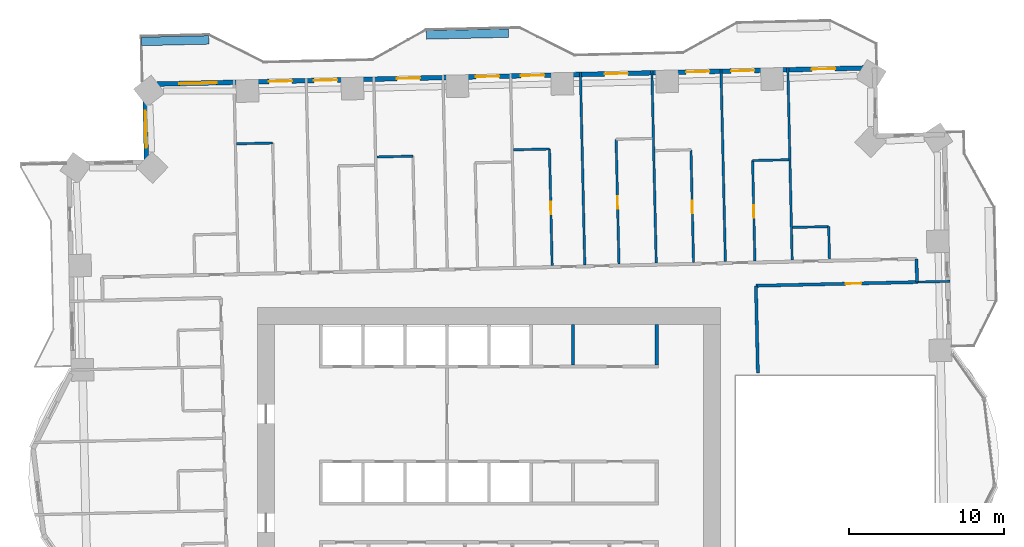
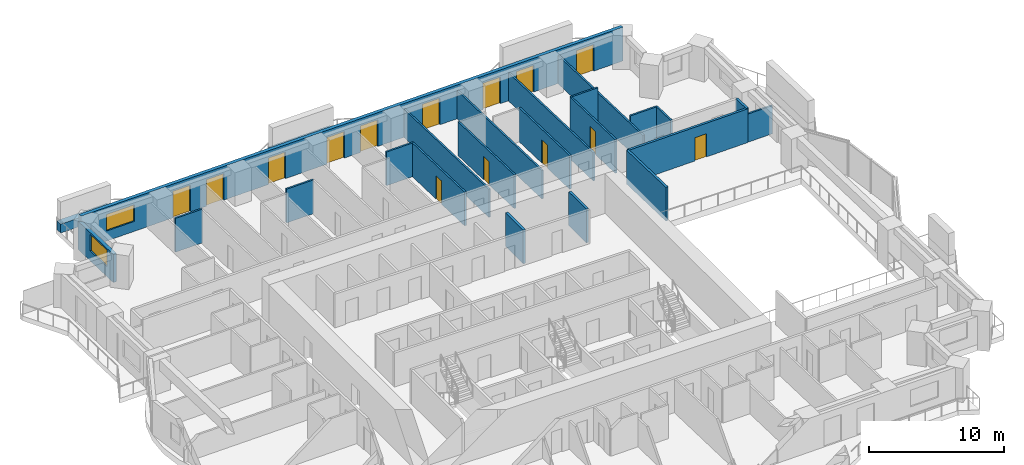
# One storey, part 12 of 17: 24 walls, 14 doors, 2 windows, 16 openings.
"""IFC4 building model written with IfcOpenShell, lengths in metres."""

from ifc_helpers import new_model, si_unit, direction, frame, frame_2d, origin, place, context, subcontext, project, spatial, rectangle, extrude, material, layer, layer_set, type_object, element, fill, save


model = new_model("IFC4")

# Units and contexts
model_context = context("Model", 3, precision=1e-05, world=origin(), true_north=direction((0.0, 1.0)))
body_context = subcontext(model_context, "Body", "Model", "MODEL_VIEW")
ifc_project = project(units=[si_unit("LENGTHUNIT", "METRE"), si_unit("AREAUNIT", "SQUARE_METRE"), si_unit("VOLUMEUNIT", "CUBIC_METRE"), si_unit("PLANEANGLEUNIT", "RADIAN"), si_unit("MASSUNIT", "GRAM", prefix="KILO")], contexts=[model_context])

# Site, building, storey
site_placement = place(None, origin())
site = spatial("IfcSite", under=ifc_project, at=site_placement, CompositionType="ELEMENT")
building_placement = place(site_placement, origin())
building = spatial("IfcBuilding", under=site, at=building_placement, Name="Mangrove Gate Tower", CompositionType="ELEMENT")
storey_placement = place(building_placement, frame((0.0, 0.0, 82.89990234375)))
storey = spatial("IfcBuildingStorey", under=building, at=storey_placement, Name="L20", CompositionType="ELEMENT", Elevation=82.89990234375)

# Walls
ifc_material_1 = material(Name="Concrete C32/40", Category="concrete")
ifc_layer_1 = layer(ifc_material_1, 0.199951171875)
ifc_layer_set_1 = layer_set([ifc_layer_1], Name="Core room wall 200 C32/40")
wall_type_1 = type_object("IfcWallType", Name="Core room wall 200 C32/40", PredefinedType="STANDARD", material=ifc_layer_set_1)
for number, where, z_axis, x_axis, name in (
    (1, (5.39990234375, 8.199951171875, 0.0), (0.0, 0.0, 1.0), (0.0, 1.0, 0.0), "WALL-L20-CORE-33"),
    (2, (10.800048828125, 8.199951171875, 0.0), (0.0, 0.0, 1.0), (0.0, 1.0, 0.0), "WALL-L20-CORE-34"),
):
    element("IfcWall", number, at=place(storey_placement, frame(where, z_axis=z_axis, x_axis=x_axis)), inside=storey, type_object=wall_type_1, Name=name, PredefinedType="STANDARD", context=body_context, shape_type="SweptSolid", body=[
        extrude(rectangle(XDim=2.60009765625, YDim=0.199951171875, at=frame_2d((1.300048828125, 0.0))), origin(), (0.0, 0.0, 1.0), 3.050048828125),
    ])
ifc_material_2 = material(Name="Gypsum board on steel stud, EI 60", Category="steel")
ifc_layer_2 = layer(ifc_material_2, 0.199951171875)
ifc_layer_set_2 = layer_set([ifc_layer_2], Name="Corridor wall EI 60")
wall_type_2 = type_object("IfcWallType", Name="Corridor wall EI 60", PredefinedType="PARTITIONING", material=ifc_layer_set_2)
wall_1_placement = place(storey_placement, frame((17.306884765625, 7.68603515625, 0.0), z_axis=(0.0, 0.0, 1.0), x_axis=(-0.022584272568, 0.999744942789, 0.0)))
element("IfcWall", 3, at=wall_1_placement, inside=storey, type_object=wall_type_2, Name="WALL-L20-051", PredefinedType="PARTITIONING", context=body_context, shape_type="SweptSolid", body=[
    extrude(rectangle(XDim=5.621337890625, YDim=0.199951171875, at=frame_2d((2.810546875, 0.0))), origin(), (0.0, 0.0, 1.0), 3.050048828125),
])

# Wall, opening, door
wall_2_placement = place(storey_placement, frame((17.176025390625, 13.305908203125, 0.0), z_axis=(0.0, 0.0, 1.0), x_axis=(0.999741057438, 0.022755616292, 0.0)))
wall_2 = element("IfcWall", 4, at=wall_2_placement, inside=storey, type_object=wall_type_2, Name="WALL-L20-058", PredefinedType="PARTITIONING", context=body_context, shape_type="SweptSolid", body=[
    extrude(rectangle(XDim=10.374755859375, YDim=0.199951171875, at=frame_2d((5.1875, 0.0))), origin(), (0.0, 0.0, 1.0), 3.050048828125),
])
opening_1_placement = place(wall_2_placement, frame((5.782958984375, 0.0, 0.0)))
opening_1 = element("IfcOpeningElement", 5, at=opening_1_placement, cuts=wall_2, Name="Opening AD", PredefinedType="OPENING", context=body_context, shape_type="SweptSolid", body=[
    extrude(rectangle(XDim=1.0, YDim=2.10009765625, at=frame_2d((0.5, 1.050048828125))), frame((0.0, 0.10986328125, 0.0), z_axis=(0.0, -1.0, 0.0), x_axis=(1.0, 0.0, 0.0)), (0.0, 0.0, 1.0), 0.219970703125),
])
ifc_material_3 = material(Name="Timber door leaf", Category="wood")
door_type_1 = type_object("IfcDoorType", Name="Amenity door 1000", OperationType="SINGLE_SWING_LEFT", PredefinedType="DOOR", material=ifc_material_3)
door_1_placement = place(opening_1_placement, origin())
door_1 = element("IfcDoor", 6, at=door_1_placement, inside=storey, type_object=door_type_1, Name="DOOR-L20-LNG-c3a", OperationType="SINGLE_SWING_RIGHT", OverallHeight=2.10009765625, OverallWidth=1.0, PredefinedType="DOOR", context=body_context, shape_type="SweptSolid", body=[
    extrude(rectangle(XDim=1.0, YDim=2.10009765625, at=frame_2d((0.5, 1.050048828125))), frame((0.0, 0.02490234375, 0.0), z_axis=(0.0, -1.0, 0.0), x_axis=(1.0, 0.0, 0.0)), (0.0, 0.0, 1.0), 0.050048828125),
])
fill(opening_1, door_1)

# Wall
wall_3_placement = place(storey_placement, frame((27.547119140625, 13.5419921875, 0.0), z_axis=(0.0, 0.0, 1.0), x_axis=(-0.02279537805, 0.999740151609, 0.0)))
element("IfcWall", 7, at=wall_3_placement, inside=storey, type_object=wall_type_2, Name="WALL-L20-059", PredefinedType="PARTITIONING", context=body_context, shape_type="SweptSolid", body=[
    extrude(rectangle(XDim=1.49951171875, YDim=0.199951171875, at=frame_2d((0.749755859375, 0.0))), origin(), (0.0, 0.0, 1.0), 3.050048828125),
])

# Wall, openings, doors, window
ifc_material_4 = material(Name="Limestone", Category="masonry")
ifc_layer_3 = layer(ifc_material_4, 0.0400390625, Name="Limestone cladding")
ifc_material_5 = material(Name="Ventilated air gap")
ifc_layer_4 = layer(ifc_material_5, 0.0400390625, Name="Ventilated cavity")
ifc_material_6 = material(Name="Mineral wool insulation")
ifc_layer_5 = layer(ifc_material_6, 0.06005859375, Name="Insulation")
ifc_material_7 = material(Name="Breather membrane")
ifc_layer_6 = layer(ifc_material_7, 0.001953125, Name="Breather membrane")
ifc_material_8 = material(Name="Concrete C20/25 blockwork", Category="masonry")
ifc_layer_7 = layer(ifc_material_8, 0.14990234375, Name="Blockwork backing wall")
ifc_material_9 = material(Name="Gypsum plaster")
ifc_layer_8 = layer(ifc_material_9, 0.008056640625, Name="Internal plaster")
ifc_layer_set_3 = layer_set([ifc_layer_3, ifc_layer_4, ifc_layer_5, ifc_layer_6, ifc_layer_7, ifc_layer_8], Name="External wall 300 limestone cladding")
wall_type_3 = type_object("IfcWallType", Name="External wall 300 limestone cladding", PredefinedType="SOLIDWALL", material=ifc_layer_set_3)
wall_4_placement = place(storey_placement, frame((24.80908203125, 27.3330078125, 0.0), z_axis=(0.0, 0.0, 1.0), x_axis=(-0.999742489858, -0.022692597327, 0.0)))
wall_4 = element("IfcWall", 8, at=wall_4_placement, inside=storey, type_object=wall_type_3, Name="WALL-L20-N5", PredefinedType="SOLIDWALL", context=body_context, shape_type="SweptSolid", body=[
    extrude(rectangle(XDim=46.97216796875, YDim=0.300048828125, at=frame_2d((23.486083984375, 0.0))), origin(), (0.0, 0.0, 1.0), 3.050048828125),
])
opening_2_placement = place(wall_4_placement, frame((2.535888671875, 0.0, 0.0)))
opening_2 = element("IfcOpeningElement", 9, at=opening_2_placement, cuts=wall_4, Name="Opening BD1", PredefinedType="OPENING", context=body_context, shape_type="SweptSolid", body=[
    extrude(rectangle(XDim=1.5, YDim=2.39990234375, at=frame_2d((0.75, 1.199951171875))), frame((0.0, 0.159912109375, 0.0), z_axis=(0.0, -1.0, 0.0), x_axis=(1.0, 0.0, 0.0)), (0.0, 0.0, 1.0), 0.320068359375),
])
opening_3_placement = place(wall_4_placement, frame((7.72607421875, 0.0, 0.0)))
opening_3 = element("IfcOpeningElement", 10, at=opening_3_placement, cuts=wall_4, Name="Opening BD1", PredefinedType="OPENING", context=body_context, shape_type="SweptSolid", body=[
    extrude(rectangle(XDim=1.5, YDim=2.39990234375, at=frame_2d((0.75, 1.199951171875))), frame((0.0, 0.159912109375, 0.0), z_axis=(0.0, -1.0, 0.0), x_axis=(1.0, 0.0, 0.0)), (0.0, 0.0, 1.0), 0.320068359375),
])
opening_4_placement = place(wall_4_placement, frame((10.626953125, 0.0, 0.0)))
opening_4 = element("IfcOpeningElement", 11, at=opening_4_placement, cuts=wall_4, Name="Opening BD1", PredefinedType="OPENING", context=body_context, shape_type="SweptSolid", body=[
    extrude(rectangle(XDim=1.5, YDim=2.39990234375, at=frame_2d((0.75, 1.199951171875))), frame((0.0, 0.159912109375, 0.0), z_axis=(0.0, -1.0, 0.0), x_axis=(1.0, 0.0, 0.0)), (0.0, 0.0, 1.0), 0.320068359375),
])
opening_5_placement = place(wall_4_placement, frame((15.8720703125, 0.0, 0.0)))
opening_5 = element("IfcOpeningElement", 12, at=opening_5_placement, cuts=wall_4, Name="Opening BD1", PredefinedType="OPENING", context=body_context, shape_type="SweptSolid", body=[
    extrude(rectangle(XDim=1.5, YDim=2.39990234375, at=frame_2d((0.75, 1.199951171875))), frame((0.0, 0.159912109375, 0.0), z_axis=(0.0, -1.0, 0.0), x_axis=(1.0, 0.0, 0.0)), (0.0, 0.0, 1.0), 0.320068359375),
])
opening_6_placement = place(wall_4_placement, frame((21.2529296875, 0.0, 0.0)))
opening_6 = element("IfcOpeningElement", 13, at=opening_6_placement, cuts=wall_4, Name="Opening BD1", PredefinedType="OPENING", context=body_context, shape_type="SweptSolid", body=[
    extrude(rectangle(XDim=1.5, YDim=2.39990234375, at=frame_2d((0.75, 1.199951171875))), frame((0.0, 0.159912109375, 0.0), z_axis=(0.0, -1.0, 0.0), x_axis=(1.0, 0.0, 0.0)), (0.0, 0.0, 1.0), 0.320068359375),
])
opening_7_placement = place(wall_4_placement, frame((24.155029296875, 0.0, 0.0)))
opening_7 = element("IfcOpeningElement", 14, at=opening_7_placement, cuts=wall_4, Name="Opening BD1", PredefinedType="OPENING", context=body_context, shape_type="SweptSolid", body=[
    extrude(rectangle(XDim=1.5, YDim=2.39990234375, at=frame_2d((0.75, 1.199951171875))), frame((0.0, 0.159912109375, 0.0), z_axis=(0.0, -1.0, 0.0), x_axis=(1.0, 0.0, 0.0)), (0.0, 0.0, 1.0), 0.320068359375),
])
opening_8_placement = place(wall_4_placement, frame((29.2470703125, 0.0, 0.0)))
opening_8 = element("IfcOpeningElement", 15, at=opening_8_placement, cuts=wall_4, Name="Opening BD1", PredefinedType="OPENING", context=body_context, shape_type="SweptSolid", body=[
    extrude(rectangle(XDim=1.5, YDim=2.39990234375, at=frame_2d((0.75, 1.199951171875))), frame((0.0, 0.159912109375, 0.0), z_axis=(0.0, -1.0, 0.0), x_axis=(1.0, 0.0, 0.0)), (0.0, 0.0, 1.0), 0.320068359375),
])
opening_9_placement = place(wall_4_placement, frame((34.5810546875, 0.0, 0.0)))
opening_9 = element("IfcOpeningElement", 16, at=opening_9_placement, cuts=wall_4, Name="Opening BD1", PredefinedType="OPENING", context=body_context, shape_type="SweptSolid", body=[
    extrude(rectangle(XDim=1.5, YDim=2.39990234375, at=frame_2d((0.75, 1.199951171875))), frame((0.0, 0.159912109375, 0.0), z_axis=(0.0, -1.0, 0.0), x_axis=(1.0, 0.0, 0.0)), (0.0, 0.0, 1.0), 0.320068359375),
])
opening_10_placement = place(wall_4_placement, frame((37.48291015625, 0.0, 0.0)))
opening_10 = element("IfcOpeningElement", 17, at=opening_10_placement, cuts=wall_4, Name="Opening BD1", PredefinedType="OPENING", context=body_context, shape_type="SweptSolid", body=[
    extrude(rectangle(XDim=1.5, YDim=2.39990234375, at=frame_2d((0.75, 1.199951171875))), frame((0.0, 0.159912109375, 0.0), z_axis=(0.0, -1.0, 0.0), x_axis=(1.0, 0.0, 0.0)), (0.0, 0.0, 1.0), 0.320068359375),
])
opening_11_placement = place(wall_4_placement, frame((42.35009765625, 0.0, 0.89990234375)))
opening_11 = element("IfcOpeningElement", 18, at=opening_11_placement, cuts=wall_4, Name="Opening W2", PredefinedType="OPENING", context=body_context, shape_type="SweptSolid", body=[
    extrude(rectangle(XDim=2.39990234375, YDim=1.5, at=frame_2d((1.199951171875, 0.75))), frame((0.0, 0.159912109375, 0.0), z_axis=(0.0, -1.0, 0.0), x_axis=(1.0, 0.0, 0.0)), (0.0, 0.0, 1.0), 0.320068359375),
])
ifc_material_10 = material(Name="Aluminium frame with laminated clear glass", Category="aluminium")
door_type_2 = type_object("IfcDoorType", Name="Balcony sliding door 1500x2400", OperationType="SLIDING_TO_LEFT", PredefinedType="DOOR", material=ifc_material_10)
door_2_placement = place(opening_2_placement, origin())
door_2 = element("IfcDoor", 19, at=door_2_placement, inside=storey, type_object=door_type_2, Name="DOOR-L20-N5-1", OperationType="SLIDING_TO_LEFT", OverallHeight=2.39990234375, OverallWidth=1.5, PredefinedType="DOOR", context=body_context, shape_type="SweptSolid", body=[
    extrude(rectangle(XDim=1.5, YDim=2.39990234375, at=frame_2d((0.75, 1.199951171875))), frame((0.0, 0.02490234375, 0.0), z_axis=(0.0, -1.0, 0.0), x_axis=(1.0, 0.0, 0.0)), (0.0, 0.0, 1.0), 0.050048828125),
])
fill(opening_2, door_2)
door_3_placement = place(opening_3_placement, origin())
door_3 = element("IfcDoor", 20, at=door_3_placement, inside=storey, type_object=door_type_2, Name="DOOR-L20-N5-2", OperationType="SLIDING_TO_LEFT", OverallHeight=2.39990234375, OverallWidth=1.5, PredefinedType="DOOR", context=body_context, shape_type="SweptSolid", body=[
    extrude(rectangle(XDim=1.5, YDim=2.39990234375, at=frame_2d((0.75, 1.199951171875))), frame((0.0, 0.02490234375, 0.0), z_axis=(0.0, -1.0, 0.0), x_axis=(1.0, 0.0, 0.0)), (0.0, 0.0, 1.0), 0.050048828125),
])
fill(opening_3, door_3)
door_4_placement = place(opening_4_placement, origin())
door_4 = element("IfcDoor", 21, at=door_4_placement, inside=storey, type_object=door_type_2, Name="DOOR-L20-N5-3", OperationType="SLIDING_TO_LEFT", OverallHeight=2.39990234375, OverallWidth=1.5, PredefinedType="DOOR", context=body_context, shape_type="SweptSolid", body=[
    extrude(rectangle(XDim=1.5, YDim=2.39990234375, at=frame_2d((0.75, 1.199951171875))), frame((0.0, 0.02490234375, 0.0), z_axis=(0.0, -1.0, 0.0), x_axis=(1.0, 0.0, 0.0)), (0.0, 0.0, 1.0), 0.050048828125),
])
fill(opening_4, door_4)
door_5_placement = place(opening_5_placement, origin())
door_5 = element("IfcDoor", 22, at=door_5_placement, inside=storey, type_object=door_type_2, Name="DOOR-L20-N5-4", OperationType="SLIDING_TO_LEFT", OverallHeight=2.39990234375, OverallWidth=1.5, PredefinedType="DOOR", context=body_context, shape_type="SweptSolid", body=[
    extrude(rectangle(XDim=1.5, YDim=2.39990234375, at=frame_2d((0.75, 1.199951171875))), frame((0.0, 0.02490234375, 0.0), z_axis=(0.0, -1.0, 0.0), x_axis=(1.0, 0.0, 0.0)), (0.0, 0.0, 1.0), 0.050048828125),
])
fill(opening_5, door_5)
door_6_placement = place(opening_6_placement, origin())
door_6 = element("IfcDoor", 23, at=door_6_placement, inside=storey, type_object=door_type_2, Name="DOOR-L20-N5-5", OperationType="SLIDING_TO_LEFT", OverallHeight=2.39990234375, OverallWidth=1.5, PredefinedType="DOOR", context=body_context, shape_type="SweptSolid", body=[
    extrude(rectangle(XDim=1.5, YDim=2.39990234375, at=frame_2d((0.75, 1.199951171875))), frame((0.0, 0.02490234375, 0.0), z_axis=(0.0, -1.0, 0.0), x_axis=(1.0, 0.0, 0.0)), (0.0, 0.0, 1.0), 0.050048828125),
])
fill(opening_6, door_6)
door_7_placement = place(opening_7_placement, origin())
door_7 = element("IfcDoor", 24, at=door_7_placement, inside=storey, type_object=door_type_2, Name="DOOR-L20-N5-6", OperationType="SLIDING_TO_LEFT", OverallHeight=2.39990234375, OverallWidth=1.5, PredefinedType="DOOR", context=body_context, shape_type="SweptSolid", body=[
    extrude(rectangle(XDim=1.5, YDim=2.39990234375, at=frame_2d((0.75, 1.199951171875))), frame((0.0, 0.02490234375, 0.0), z_axis=(0.0, -1.0, 0.0), x_axis=(1.0, 0.0, 0.0)), (0.0, 0.0, 1.0), 0.050048828125),
])
fill(opening_7, door_7)
door_8_placement = place(opening_8_placement, origin())
door_8 = element("IfcDoor", 25, at=door_8_placement, inside=storey, type_object=door_type_2, Name="DOOR-L20-N5-7", OperationType="SLIDING_TO_LEFT", OverallHeight=2.39990234375, OverallWidth=1.5, PredefinedType="DOOR", context=body_context, shape_type="SweptSolid", body=[
    extrude(rectangle(XDim=1.5, YDim=2.39990234375, at=frame_2d((0.75, 1.199951171875))), frame((0.0, 0.02490234375, 0.0), z_axis=(0.0, -1.0, 0.0), x_axis=(1.0, 0.0, 0.0)), (0.0, 0.0, 1.0), 0.050048828125),
])
fill(opening_8, door_8)
door_9_placement = place(opening_9_placement, origin())
door_9 = element("IfcDoor", 26, at=door_9_placement, inside=storey, type_object=door_type_2, Name="DOOR-L20-N5-8", OperationType="SLIDING_TO_LEFT", OverallHeight=2.39990234375, OverallWidth=1.5, PredefinedType="DOOR", context=body_context, shape_type="SweptSolid", body=[
    extrude(rectangle(XDim=1.5, YDim=2.39990234375, at=frame_2d((0.75, 1.199951171875))), frame((0.0, 0.02490234375, 0.0), z_axis=(0.0, -1.0, 0.0), x_axis=(1.0, 0.0, 0.0)), (0.0, 0.0, 1.0), 0.050048828125),
])
fill(opening_9, door_9)
door_10_placement = place(opening_10_placement, origin())
door_10 = element("IfcDoor", 27, at=door_10_placement, inside=storey, type_object=door_type_2, Name="DOOR-L20-N5-9", OperationType="SLIDING_TO_LEFT", OverallHeight=2.39990234375, OverallWidth=1.5, PredefinedType="DOOR", context=body_context, shape_type="SweptSolid", body=[
    extrude(rectangle(XDim=1.5, YDim=2.39990234375, at=frame_2d((0.75, 1.199951171875))), frame((0.0, 0.02490234375, 0.0), z_axis=(0.0, -1.0, 0.0), x_axis=(1.0, 0.0, 0.0)), (0.0, 0.0, 1.0), 0.050048828125),
])
fill(opening_10, door_10)
ifc_material_11 = material(Name="Aluminium frame with double-glazed low-e glass", Category="aluminium")
window_type = type_object("IfcWindowType", Name="Corner room window 2400x1500", PartitioningType="DOUBLE_PANEL_VERTICAL", PredefinedType="WINDOW", material=ifc_material_11)
window_1_placement = place(opening_11_placement, origin())
window_1 = element("IfcWindow", 28, at=window_1_placement, inside=storey, type_object=window_type, Name="WIN-L20-N5-10", OverallHeight=1.5, OverallWidth=2.39990234375, PartitioningType="DOUBLE_PANEL_VERTICAL", PredefinedType="WINDOW", context=body_context, shape_type="SweptSolid", body=[
    extrude(rectangle(XDim=2.39990234375, YDim=1.5, at=frame_2d((1.199951171875, 0.75))), frame((0.0, 0.030029296875, 0.0), z_axis=(0.0, -1.0, 0.0), x_axis=(1.0, 0.0, 0.0)), (0.0, 0.0, 1.0), 0.06005859375),
])
fill(opening_11, window_1)

# Wall, opening, window
wall_5_placement = place(storey_placement, frame((-22.15087890625, 26.26708984375, 0.0), z_axis=(0.0, 0.0, 1.0), x_axis=(0.022756903044, -0.999741028149, 0.0)))
wall_5 = element("IfcWall", 29, at=wall_5_placement, inside=storey, type_object=wall_type_3, Name="WALL-L20-W6", PredefinedType="SOLIDWALL", context=body_context, shape_type="SweptSolid", body=[
    extrude(rectangle(XDim=4.999267578125, YDim=0.300048828125, at=frame_2d((2.49951171875, 0.0))), origin(), (0.0, 0.0, 1.0), 2.550048828125),
])
opening_12_placement = place(wall_5_placement, frame((1.69189453125, 0.0, 0.89990234375)))
opening_12 = element("IfcOpeningElement", 30, at=opening_12_placement, cuts=wall_5, Name="Opening W2", PredefinedType="OPENING", context=body_context, shape_type="SweptSolid", body=[
    extrude(rectangle(XDim=2.39990234375, YDim=1.5, at=frame_2d((1.199951171875, 0.75))), frame((0.0, 0.159912109375, 0.0), z_axis=(0.0, -1.0, 0.0), x_axis=(1.0, 0.0, 0.0)), (0.0, 0.0, 1.0), 0.320068359375),
])
window_2_placement = place(opening_12_placement, origin())
window_2 = element("IfcWindow", 31, at=window_2_placement, inside=storey, type_object=window_type, Name="WIN-L20-W6-1", OverallHeight=1.5, OverallWidth=2.39990234375, PartitioningType="DOUBLE_PANEL_VERTICAL", PredefinedType="WINDOW", context=body_context, shape_type="SweptSolid", body=[
    extrude(rectangle(XDim=2.39990234375, YDim=1.5, at=frame_2d((1.199951171875, 0.75))), frame((0.0, 0.030029296875, 0.0), z_axis=(0.0, -1.0, 0.0), x_axis=(1.0, 0.0, 0.0)), (0.0, 0.0, 1.0), 0.06005859375),
])
fill(opening_12, window_2)

# Wall
ifc_material_12 = material(Name="Gypsum board on steel stud, EI 60", Category="steel")
ifc_layer_9 = layer(ifc_material_12, 0.14990234375)
ifc_layer_set_4 = layer_set([ifc_layer_9], Name="Party wall 150 EI 60")
wall_type_4 = type_object("IfcWallType", Name="Party wall 150 EI 60", PredefinedType="PARTITIONING", material=ifc_layer_set_4)
wall_6_placement = place(storey_placement, frame((27.548095703125, 13.5419921875, 0.0), z_axis=(0.0, 0.0, 1.0), x_axis=(0.999743730464, 0.022637875276, 0.0)))
element("IfcWall", 32, at=wall_6_placement, inside=storey, type_object=wall_type_4, Name="WALL-L20-060", PredefinedType="PARTITIONING", context=body_context, shape_type="SweptSolid", body=[
    extrude(rectangle(XDim=2.12451171875, YDim=0.14990234375, at=frame_2d((1.062255859375, 0.0))), origin(), (0.0, 0.0, 1.0), 2.550048828125),
])

# Wall, opening, door
wall_7_placement = place(storey_placement, frame((4.06689453125, 14.60888671875, 0.0), z_axis=(0.0, 0.0, 1.0), x_axis=(-0.022786475911, 0.99974035455, 0.0)))
wall_7 = element("IfcWall", 33, at=wall_7_placement, inside=storey, type_object=wall_type_4, Name="WALL-L20-072", PredefinedType="PARTITIONING", context=body_context, shape_type="SweptSolid", body=[
    extrude(rectangle(XDim=7.5, YDim=0.14990234375, at=frame_2d((3.75, 0.0))), origin(), (0.0, 0.0, 1.0), 3.050048828125),
])
opening_13_placement = place(wall_7_placement, frame((3.300048828125, 0.0, 0.0)))
opening_13 = element("IfcOpeningElement", 34, at=opening_13_placement, cuts=wall_7, Name="Opening ED", PredefinedType="OPENING", context=body_context, shape_type="SweptSolid", body=[
    extrude(rectangle(XDim=0.800048828125, YDim=2.10009765625, at=frame_2d((0.39990234375, 1.050048828125))), frame((0.0, 0.0849609375, 0.0), z_axis=(0.0, -1.0, 0.0), x_axis=(1.0, 0.0, 0.0)), (0.0, 0.0, 1.0), 0.169921875),
])
ifc_material_13 = material(Name="Timber door leaf", Category="wood")
door_type_3 = type_object("IfcDoorType", Name="En-suite door 800", OperationType="SINGLE_SWING_LEFT", PredefinedType="DOOR", material=ifc_material_13)
door_11_placement = place(opening_13_placement, origin())
door_11 = element("IfcDoor", 35, at=door_11_placement, inside=storey, type_object=door_type_3, Name="DOOR-L20-ENS-c412", OperationType="SINGLE_SWING_RIGHT", OverallHeight=2.10009765625, OverallWidth=0.800048828125, PredefinedType="DOOR", context=body_context, shape_type="SweptSolid", body=[
    extrude(rectangle(XDim=0.800048828125, YDim=2.10009765625, at=frame_2d((0.39990234375, 1.050048828125))), frame((0.0, 0.02490234375, 0.0), z_axis=(0.0, -1.0, 0.0), x_axis=(1.0, 0.0, 0.0)), (0.0, 0.0, 1.0), 0.050048828125),
])
fill(opening_13, door_11)

# Wall
wall_8_placement = place(storey_placement, frame((6.166015625, 14.656982421875, 0.0), z_axis=(0.0, 0.0, 1.0), x_axis=(-0.022661475803, 0.999743195783, 0.0)))
element("IfcWall", 36, at=wall_8_placement, inside=storey, type_object=wall_type_4, Name="WALL-L20-073", PredefinedType="PARTITIONING", context=body_context, shape_type="SweptSolid", body=[
    extrude(rectangle(XDim=12.400146484375, YDim=0.14990234375, at=frame_2d((6.2001953125, 0.0))), origin(), (0.0, 0.0, 1.0), 2.550048828125),
])

# Wall, opening, door
wall_9_placement = place(storey_placement, frame((8.365966796875, 14.70703125, 0.0), z_axis=(0.0, 0.0, 1.0), x_axis=(-0.022771820566, 0.999740688473, 0.0)))
wall_9 = element("IfcWall", 37, at=wall_9_placement, inside=storey, type_object=wall_type_4, Name="WALL-L20-074", PredefinedType="PARTITIONING", context=body_context, shape_type="SweptSolid", body=[
    extrude(rectangle(XDim=8.0302734375, YDim=0.14990234375, at=frame_2d((4.01513671875, 0.0))), origin(), (0.0, 0.0, 1.0), 3.050048828125),
])
opening_14_placement = place(wall_9_placement, frame((3.56494140625, 0.0, 0.0)))
opening_14 = element("IfcOpeningElement", 38, at=opening_14_placement, cuts=wall_9, Name="Opening ED", PredefinedType="OPENING", context=body_context, shape_type="SweptSolid", body=[
    extrude(rectangle(XDim=0.800048828125, YDim=2.10009765625, at=frame_2d((0.39990234375, 1.050048828125))), frame((0.0, 0.0849609375, 0.0), z_axis=(0.0, -1.0, 0.0), x_axis=(1.0, 0.0, 0.0)), (0.0, 0.0, 1.0), 0.169921875),
])
door_12_placement = place(opening_14_placement, origin())
door_12 = element("IfcDoor", 39, at=door_12_placement, inside=storey, type_object=door_type_3, Name="DOOR-L20-ENS-c411", OperationType="SINGLE_SWING_LEFT", OverallHeight=2.10009765625, OverallWidth=0.800048828125, PredefinedType="DOOR", context=body_context, shape_type="SweptSolid", body=[
    extrude(rectangle(XDim=0.800048828125, YDim=2.10009765625, at=frame_2d((0.39990234375, 1.050048828125))), frame((0.0, 0.02490234375, 0.0), z_axis=(0.0, -1.0, 0.0), x_axis=(1.0, 0.0, 0.0)), (0.0, 0.0, 1.0), 0.050048828125),
])
fill(opening_14, door_12)

# Wall
wall_10_placement = place(storey_placement, frame((10.764892578125, 14.760986328125, 0.0), z_axis=(0.0, 0.0, 1.0), x_axis=(-0.022661475803, 0.999743195783, 0.0)))
element("IfcWall", 40, at=wall_10_placement, inside=storey, type_object=wall_type_4, Name="WALL-L20-075", PredefinedType="PARTITIONING", context=body_context, shape_type="SweptSolid", body=[
    extrude(rectangle(XDim=12.400146484375, YDim=0.14990234375, at=frame_2d((6.2001953125, 0.0))), origin(), (0.0, 0.0, 1.0), 2.550048828125),
])

# Wall, opening, door
wall_11_placement = place(storey_placement, frame((13.1640625, 14.81591796875, 0.0), z_axis=(0.0, 0.0, 1.0), x_axis=(-0.022660891034, 0.999743209038, 0.0)))
wall_11 = element("IfcWall", 41, at=wall_11_placement, inside=storey, type_object=wall_type_4, Name="WALL-L20-076", PredefinedType="PARTITIONING", context=body_context, shape_type="SweptSolid", body=[
    extrude(rectangle(XDim=7.239990234375, YDim=0.14990234375, at=frame_2d((3.6201171875, 0.0))), origin(), (0.0, 0.0, 1.0), 3.050048828125),
])
opening_15_placement = place(wall_11_placement, frame((3.169921875, 0.0, 0.0)))
opening_15 = element("IfcOpeningElement", 42, at=opening_15_placement, cuts=wall_11, Name="Opening ED", PredefinedType="OPENING", context=body_context, shape_type="SweptSolid", body=[
    extrude(rectangle(XDim=0.800048828125, YDim=2.10009765625, at=frame_2d((0.39990234375, 1.050048828125))), frame((0.0, 0.0849609375, 0.0), z_axis=(0.0, -1.0, 0.0), x_axis=(1.0, 0.0, 0.0)), (0.0, 0.0, 1.0), 0.169921875),
])
door_13_placement = place(opening_15_placement, origin())
door_13 = element("IfcDoor", 43, at=door_13_placement, inside=storey, type_object=door_type_3, Name="DOOR-L20-ENS-c310", OperationType="SINGLE_SWING_RIGHT", OverallHeight=2.10009765625, OverallWidth=0.800048828125, PredefinedType="DOOR", context=body_context, shape_type="SweptSolid", body=[
    extrude(rectangle(XDim=0.800048828125, YDim=2.10009765625, at=frame_2d((0.39990234375, 1.050048828125))), frame((0.0, 0.02490234375, 0.0), z_axis=(0.0, -1.0, 0.0), x_axis=(1.0, 0.0, 0.0)), (0.0, 0.0, 1.0), 0.050048828125),
])
fill(opening_15, door_13)

# Wall
wall_12_placement = place(storey_placement, frame((15.214111328125, 14.862060546875, 0.0), z_axis=(0.0, 0.0, 1.0), x_axis=(-0.022759867473, 0.999740960666, 0.0)))
element("IfcWall", 44, at=wall_12_placement, inside=storey, type_object=wall_type_4, Name="WALL-L20-077", PredefinedType="PARTITIONING", context=body_context, shape_type="SweptSolid", body=[
    extrude(rectangle(XDim=12.400146484375, YDim=0.14990234375, at=frame_2d((6.2001953125, 0.0))), origin(), (0.0, 0.0, 1.0), 2.550048828125),
])

# Wall, opening, door
wall_13_placement = place(storey_placement, frame((17.113037109375, 14.905029296875, 0.0), z_axis=(0.0, 0.0, 1.0), x_axis=(-0.022597796078, 0.999744637201, 0.0)))
wall_13 = element("IfcWall", 45, at=wall_13_placement, inside=storey, type_object=wall_type_4, Name="WALL-L20-078", PredefinedType="PARTITIONING", context=body_context, shape_type="SweptSolid", body=[
    extrude(rectangle(XDim=6.460693359375, YDim=0.14990234375, at=frame_2d((3.23046875, 0.0))), origin(), (0.0, 0.0, 1.0), 3.050048828125),
])
opening_16_placement = place(wall_13_placement, frame((2.780029296875, 0.0, 0.0)))
opening_16 = element("IfcOpeningElement", 46, at=opening_16_placement, cuts=wall_13, Name="Opening ED", PredefinedType="OPENING", context=body_context, shape_type="SweptSolid", body=[
    extrude(rectangle(XDim=0.800048828125, YDim=2.10009765625, at=frame_2d((0.39990234375, 1.050048828125))), frame((0.0, 0.0849609375, 0.0), z_axis=(0.0, -1.0, 0.0), x_axis=(1.0, 0.0, 0.0)), (0.0, 0.0, 1.0), 0.169921875),
])
door_14_placement = place(opening_16_placement, origin())
door_14 = element("IfcDoor", 47, at=door_14_placement, inside=storey, type_object=door_type_3, Name="DOOR-L20-ENS-c309", OperationType="SINGLE_SWING_LEFT", OverallHeight=2.10009765625, OverallWidth=0.800048828125, PredefinedType="DOOR", context=body_context, shape_type="SweptSolid", body=[
    extrude(rectangle(XDim=0.800048828125, YDim=2.10009765625, at=frame_2d((0.39990234375, 1.050048828125))), frame((0.0, 0.02490234375, 0.0), z_axis=(0.0, -1.0, 0.0), x_axis=(1.0, 0.0, 0.0)), (0.0, 0.0, 1.0), 0.050048828125),
])
fill(opening_16, door_14)

# Walls
wall_14_placement = place(storey_placement, frame((19.512939453125, 14.9599609375, 0.0), z_axis=(0.0, 0.0, 1.0), x_axis=(-0.022740189192, 0.999741408463, 0.0)))
element("IfcWall", 48, at=wall_14_placement, inside=storey, type_object=wall_type_4, Name="WALL-L20-079", PredefinedType="PARTITIONING", context=body_context, shape_type="SweptSolid", body=[
    extrude(rectangle(XDim=12.400146484375, YDim=0.14990234375, at=frame_2d((6.2001953125, 0.0))), origin(), (0.0, 0.0, 1.0), 2.550048828125),
])
wall_15_placement = place(storey_placement, frame((21.912109375, 15.013916015625, 0.0), z_axis=(0.0, 0.0, 1.0), x_axis=(-0.022895647347, 0.999737860308, 0.0)))
element("IfcWall", 49, at=wall_15_placement, inside=storey, type_object=wall_type_4, Name="WALL-L20-080", PredefinedType="PARTITIONING", context=body_context, shape_type="SweptSolid", body=[
    extrude(rectangle(XDim=2.1005859375, YDim=0.14990234375, at=frame_2d((1.05029296875, 0.0))), origin(), (0.0, 0.0, 1.0), 3.050048828125),
])
for number, where, z_axis, x_axis, name in (
    (50, (19.5439453125, 17.06103515625, 0.0), (0.0, 0.0, 1.0), (0.999740260747, 0.02279059109, 0.0), "WALL-L20-081"),
    (51, (16.970947265625, 21.364013671875, 0.0), (0.0, 0.0, 1.0), (0.999740260747, 0.02279059109, 0.0), "WALL-L20-083"),
):
    element("IfcWall", number, at=place(storey_placement, frame(where, z_axis=z_axis, x_axis=x_axis)), inside=storey, type_object=wall_type_4, Name=name, PredefinedType="PARTITIONING", context=body_context, shape_type="SweptSolid", body=[
        extrude(rectangle(XDim=2.324462890625, YDim=0.14990234375, at=frame_2d((1.162109375, 0.0))), origin(), (0.0, 0.0, 1.0), 3.050048828125),
    ])
wall_16_placement = place(storey_placement, frame((-7.216064453125, 21.594970703125, 0.0), z_axis=(0.0, 0.0, 1.0), x_axis=(0.999740478815, 0.022781023197, 0.0)))
element("IfcWall", 52, at=wall_16_placement, inside=storey, type_object=wall_type_4, Name="WALL-L20-086", PredefinedType="PARTITIONING", context=body_context, shape_type="SweptSolid", body=[
    extrude(rectangle(XDim=2.325439453125, YDim=0.14990234375, at=frame_2d((1.16259765625, 0.0))), origin(), (0.0, 0.0, 1.0), 3.050048828125),
])
for number, where, z_axis, x_axis, name in (
    (53, (1.575927734375, 22.054931640625, 0.0), (0.0, 0.0, 1.0), (0.999749744571, 0.022370700241, 0.0), "WALL-L20-088"),
    (54, (-16.237060546875, 22.44091796875, 0.0), (0.0, 0.0, 1.0), (0.999749744571, 0.022370700241, 0.0), "WALL-L20-090"),
):
    element("IfcWall", number, at=place(storey_placement, frame(where, z_axis=z_axis, x_axis=x_axis)), inside=storey, type_object=wall_type_4, Name=name, PredefinedType="PARTITIONING", context=body_context, shape_type="SweptSolid", body=[
        extrude(rectangle(XDim=2.324462890625, YDim=0.14990234375, at=frame_2d((1.162109375, 0.0))), origin(), (0.0, 0.0, 1.0), 3.050048828125),
    ])
ifc_material_14 = material(Name="Concrete C32/40", Category="concrete")
ifc_layer_10 = layer(ifc_material_14, 0.199951171875, Name="Planter trough wall")
ifc_material_15 = material(Name="Bituminous waterproofing membrane")
ifc_layer_11 = layer(ifc_material_15, 0.0048828125, Name="Waterproofing")
ifc_material_16 = material(Name="Drainage board and gravel")
ifc_layer_12 = layer(ifc_material_16, 0.044921875, Name="Drainage layer")
ifc_material_17 = material(Name="Planting soil")
ifc_layer_13 = layer(ifc_material_17, 0.300048828125, Name="Growing medium")
ifc_layer_set_5 = layer_set([ifc_layer_10, ifc_layer_11, ifc_layer_12, ifc_layer_13], Name="Planter wall 550 C32/40")
wall_type_5 = type_object("IfcWallType", Name="Planter wall 550 C32/40", PredefinedType="USERDEFINED", material=ifc_layer_set_5)
wall_17_placement = place(storey_placement, frame((-22.364013671875, 29.028076171875, 0.0), z_axis=(0.0, 0.0, 1.0), x_axis=(0.999739971854, 0.022803260228, 0.0)))
element("IfcWall", 55, at=wall_17_placement, inside=storey, type_object=wall_type_5, Name="PLANTER L20 N1.1", ObjectType="PLANTER", PredefinedType="USERDEFINED", context=body_context, shape_type="SweptSolid", body=[
    extrude(rectangle(XDim=4.336181640625, YDim=0.550048828125, at=frame_2d((2.16796875, 0.0))), origin(), (0.0, 0.0, 1.0), 0.800048828125),
])
wall_18_placement = place(storey_placement, frame((-4.031982421875, 29.444091796875, 0.0), z_axis=(0.0, 0.0, 1.0), x_axis=(0.999739953222, 0.022804077086, 0.0)))
element("IfcWall", 56, at=wall_18_placement, inside=storey, type_object=wall_type_5, Name="PLANTER L20 N1.2", ObjectType="PLANTER", PredefinedType="USERDEFINED", context=body_context, shape_type="SweptSolid", body=[
    extrude(rectangle(XDim=5.299560546875, YDim=0.550048828125, at=frame_2d((2.64990234375, 0.0))), origin(), (0.0, 0.0, 1.0), 0.800048828125),
])

save(model, "model.ifc")
